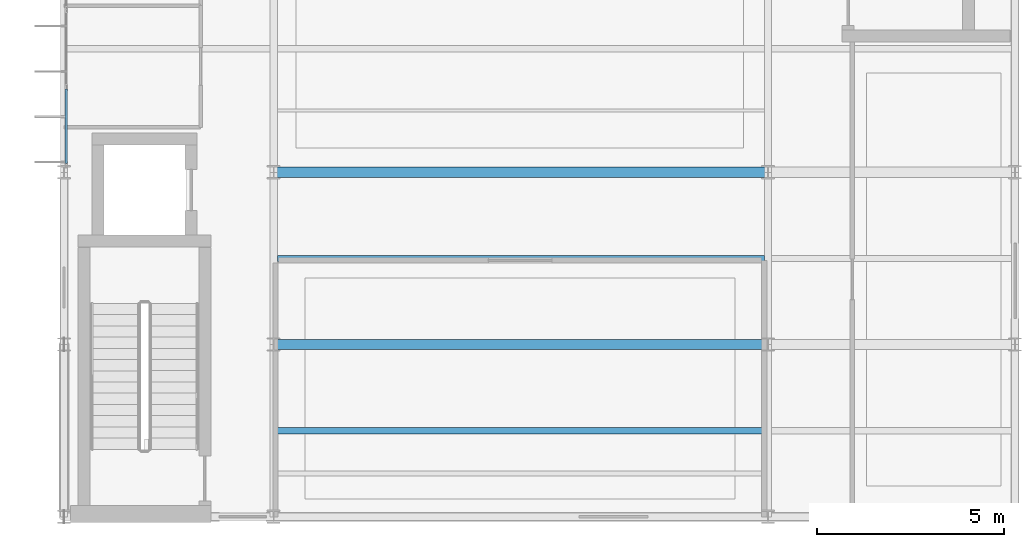
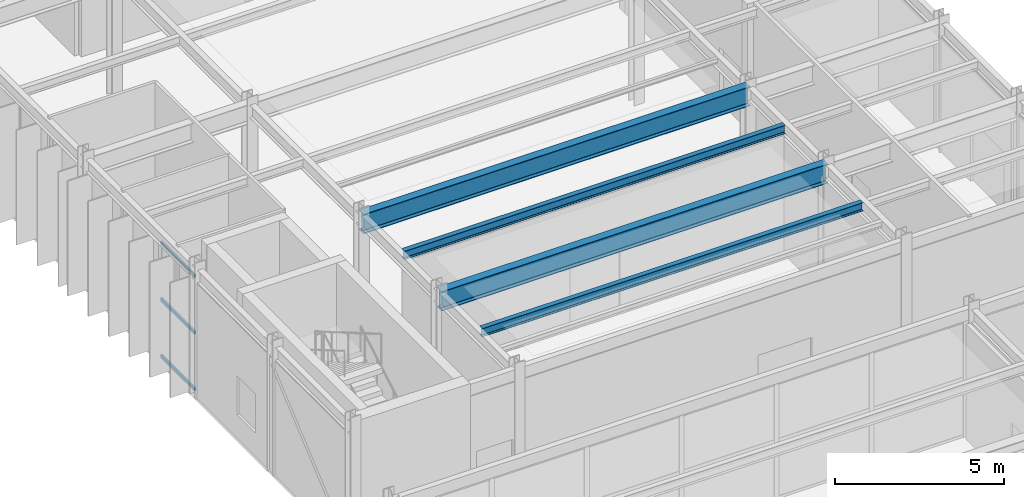
# One storey, part 33 of 144: 4 beams, 3 members, 1 element without a shape of its own.
"""IFC4 building model written with IfcOpenShell, lengths in metres."""

from ifc_helpers import new_model, si_unit, direction, frame, origin, origin_2d, place, context, subcontext, project, spatial, hollow_rectangle, i_section, extrude, material, material_profile, profile_set, type_object, element, aggregate, save


model = new_model("IFC4")

# Units and contexts
model_context = context("Model", 3, precision=1e-05, world=origin(), true_north=direction((0.0, 1.0)))
body_context = subcontext(model_context, "Body", "Model", "MODEL_VIEW")
ifc_project = project(units=[si_unit("LENGTHUNIT", "METRE"), si_unit("AREAUNIT", "SQUARE_METRE"), si_unit("VOLUMEUNIT", "CUBIC_METRE"), si_unit("PLANEANGLEUNIT", "RADIAN"), si_unit("MASSUNIT", "GRAM", prefix="KILO")], contexts=[model_context])

# Site, building, storey
site_placement = place(None, origin())
site = spatial("IfcSite", under=ifc_project, at=site_placement, CompositionType="ELEMENT")
building_placement = place(site_placement, origin())
building = spatial("IfcBuilding", under=site, at=building_placement, Name="Karori Crest Natural Sciences Institute", CompositionType="ELEMENT")
storey_placement = place(building_placement, origin())
storey = spatial("IfcBuildingStorey", under=building, at=storey_placement, Name="L00", CompositionType="ELEMENT", Elevation=0.0)

# Beams
ifc_material_1 = material(Name="Structural steel AS/NZS 3679.1 Grade 350", Category="steel")
ifc_material_profile_1 = material_profile(ifc_material_1, i_section(OverallWidth=0.27490234375, OverallDepth=0.699951171875, WebThickness=0.010009765625, FlangeThickness=0.02001953125, FilletRadius=0.013916015625, at=origin_2d()), Name="700WB150")
ifc_profile_set_1 = profile_set([ifc_material_profile_1], Name="Structural steel AS/NZS 3679.1 Grade 350")
beam_type_1 = type_object("IfcBeamType", Name="BT-03", PredefinedType="BEAM", material=ifc_profile_set_1)
for number, where, z_axis, x_axis, name in (
    (1, (7.39990234375, 35.800048828125, 4.27001953125), (1.0, 0.0, 0.0), (0.0, 1.0, 0.0), "Beam B-0943"),
    (2, (7.39990234375, 40.39990234375, 4.27001953125), (1.0, 0.0, 0.0), (0.0, 1.0, 0.0), "Beam B-0945"),
):
    element("IfcBeam", number, at=place(storey_placement, frame(where, z_axis=z_axis, x_axis=x_axis)), inside=storey, type_object=beam_type_1, Name=name, PredefinedType="BEAM", context=body_context, shape_type="SweptSolid", body=[
        extrude(i_section(OverallWidth=0.27490234375, OverallDepth=0.699951171875, WebThickness=0.010009765625, FlangeThickness=0.02001953125, FilletRadius=0.013916015625, at=origin_2d()), origin(), (0.0, 0.0, 1.0), 13.2001953125),
    ])
ifc_material_profile_2 = material_profile(ifc_material_1, i_section(OverallWidth=0.166015625, OverallDepth=0.306884765625, WebThickness=0.006591796875, FlangeThickness=0.01171875, FilletRadius=0.010986328125, at=origin_2d()), Name="310UB46.2")
ifc_profile_set_2 = profile_set([ifc_material_profile_2], Name="Structural steel AS/NZS 3679.1 Grade 350")
beam_type_2 = type_object("IfcBeamType", Name="BT-09", PredefinedType="BEAM", material=ifc_profile_set_2)
for number, where, z_axis, x_axis, name in (
    (3, (7.49560546875, 33.5, 4.466552734375), (1.0, 0.0, 0.0), (0.0, 1.0, 0.0), "Beam B-0993"),
    (4, (7.49560546875, 38.10009765625, 4.466552734375), (1.0, 0.0, 0.0), (0.0, 1.0, 0.0), "Beam B-0995"),
):
    element("IfcBeam", number, at=place(storey_placement, frame(where, z_axis=z_axis, x_axis=x_axis)), inside=storey, type_object=beam_type_2, Name=name, PredefinedType="BEAM", context=body_context, shape_type="SweptSolid", body=[
        extrude(i_section(OverallWidth=0.166015625, OverallDepth=0.306884765625, WebThickness=0.006591796875, FlangeThickness=0.01171875, FilletRadius=0.010986328125, at=origin_2d()), origin(), (0.0, 0.0, 1.0), 13.0087890625),
    ])

# Curtain wall, members
ifc_material_2 = material(Name="Anodised architectural aluminium 6063-T6", Category="aluminium")
curtain_wall_type = type_object("IfcCurtainWallType", Name="CWT-17", PredefinedType="NOTDEFINED", material=ifc_material_2)
curtain_wall_placement = place(storey_placement, origin())
curtain_wall = element("IfcCurtainWall", 5, at=curtain_wall_placement, inside=storey, type_object=curtain_wall_type, Name="Curtain wall CW-0254", PredefinedType="NOTDEFINED")
ifc_material_profile_3 = material_profile(ifc_material_2, hollow_rectangle(XDim=0.06005859375, YDim=0.1201171875, WallThickness=0.00390625, at=origin_2d()), Name="CWT120x60x4")
ifc_profile_set_3 = profile_set([ifc_material_profile_3], Name="Anodised architectural aluminium 6063-T6")
member_type = type_object("IfcMemberType", Name="CWT-TR1", PredefinedType="USERDEFINED", material=ifc_profile_set_3)
member_1_placement = place(storey_placement, frame((1.860107421875, 40.637939453125, 0.030029296875), z_axis=(0.0, 1.0, 0.0), x_axis=(-1.0, 0.0, 0.0)))
member_1 = element("IfcMember", 6, at=member_1_placement, type_object=member_type, Name="CW-0254 transom 1.1", ObjectType="TRANSOM", PredefinedType="USERDEFINED", context=body_context, shape_type="SweptSolid", body=[
    extrude(hollow_rectangle(XDim=0.06005859375, YDim=0.1201171875, WallThickness=0.00390625, at=origin_2d()), origin(), (0.0, 0.0, 1.0), 1.9873046875),
])
member_2_placement = place(storey_placement, frame((1.860107421875, 40.637939453125, 2.072509765625), z_axis=(0.0, 1.0, 0.0), x_axis=(-1.0, 0.0, 0.0)))
member_2 = element("IfcMember", 7, at=member_2_placement, type_object=member_type, Name="CW-0254 transom 1.2", ObjectType="TRANSOM", PredefinedType="USERDEFINED", context=body_context, shape_type="SweptSolid", body=[
    extrude(hollow_rectangle(XDim=0.06005859375, YDim=0.1201171875, WallThickness=0.00390625, at=origin_2d()), origin(), (0.0, 0.0, 1.0), 1.9873046875),
])
member_3_placement = place(storey_placement, frame((1.860107421875, 40.637939453125, 4.114990234375), z_axis=(0.0, 1.0, 0.0), x_axis=(-1.0, 0.0, 0.0)))
member_3 = element("IfcMember", 8, at=member_3_placement, type_object=member_type, Name="CW-0254 transom 1.3", ObjectType="TRANSOM", PredefinedType="USERDEFINED", context=body_context, shape_type="SweptSolid", body=[
    extrude(hollow_rectangle(XDim=0.06005859375, YDim=0.1201171875, WallThickness=0.00390625, at=origin_2d()), origin(), (0.0, 0.0, 1.0), 1.9873046875),
])
aggregate(curtain_wall, [member_1, member_2, member_3])

save(model, "model.ifc")
